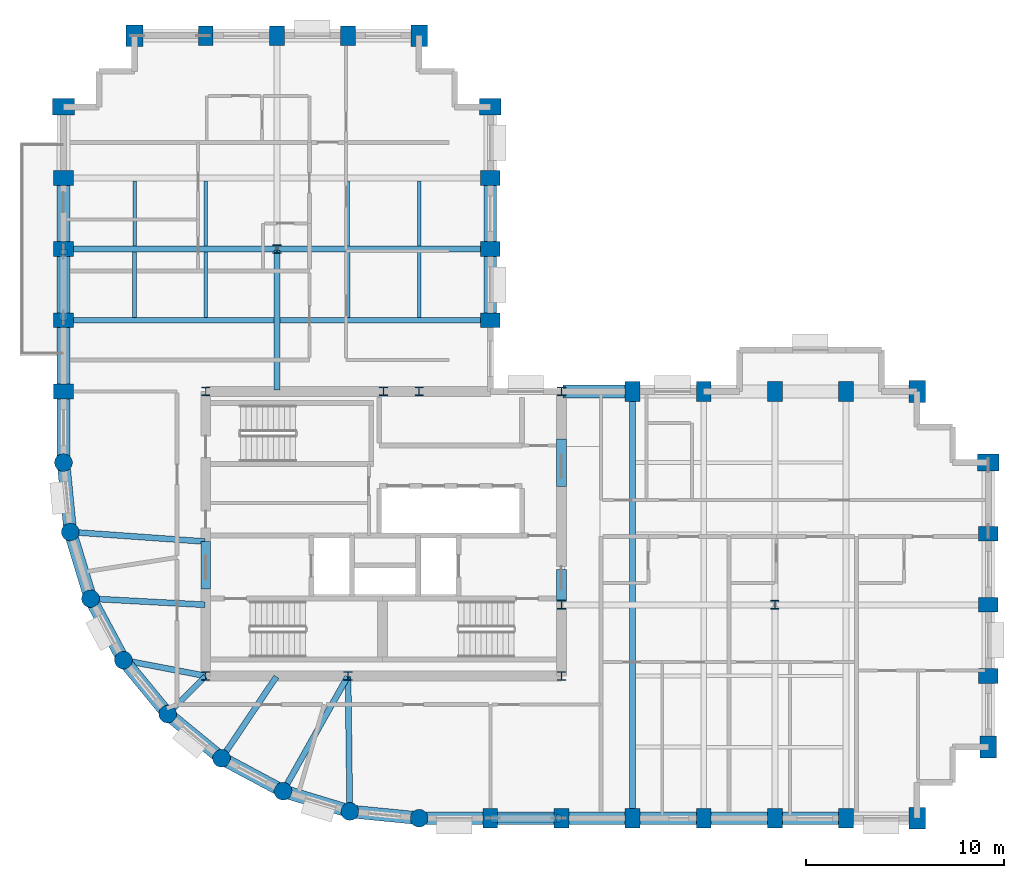
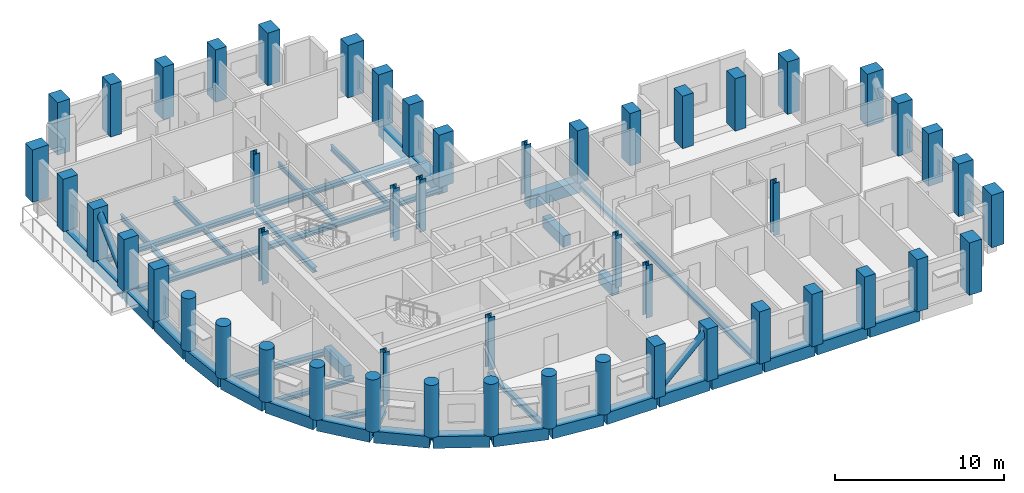
# One storey, part 1 of 10: 50 columns, 44 beams, 2 members.
"""IFC4 building model written with IfcOpenShell, lengths in metres."""

from ifc_helpers import new_model, si_unit, direction, frame, origin, origin_2d, place, context, subcontext, project, spatial, rectangle, circle, hollow_circle, i_section, extrude, material, material_profile, profile_set, type_object, element, save


model = new_model("IFC4")

# Units and contexts
model_context = context("Model", 3, precision=1e-05, world=origin(), true_north=direction((0.0, 1.0)))
body_context = subcontext(model_context, "Body", "Model", "MODEL_VIEW")
ifc_project = project(units=[si_unit("LENGTHUNIT", "METRE"), si_unit("AREAUNIT", "SQUARE_METRE"), si_unit("VOLUMEUNIT", "CUBIC_METRE"), si_unit("PLANEANGLEUNIT", "RADIAN"), si_unit("MASSUNIT", "GRAM", prefix="KILO")], contexts=[model_context])

# Site, building, storey
site_placement = place(None, origin())
site = spatial("IfcSite", under=ifc_project, at=site_placement, CompositionType="ELEMENT")
building_placement = place(site_placement, origin())
building = spatial("IfcBuilding", under=site, at=building_placement, Name="Solnavia Interchange Tower", CompositionType="ELEMENT")
storey_placement = place(building_placement, frame((0.0, 0.0, 150.39990234375)))
storey = spatial("IfcBuildingStorey", under=building, at=storey_placement, Name="L37", CompositionType="ELEMENT", Elevation=150.39990234375)

# Columns
ifc_material_1 = material(Name="Concrete C50/60", Category="concrete")
ifc_material_profile_1 = material_profile(ifc_material_1, rectangle(XDim=0.75, YDim=1.0, at=origin_2d()), Name="RC 1000x750")
ifc_profile_set_1 = profile_set([ifc_material_profile_1], Name="Concrete C50/60")
column_type_1 = type_object("IfcColumnType", Name="Col-RC-1000x750", PredefinedType="COLUMN", material=ifc_profile_set_1)
for number, where, z_axis, x_axis, name in (
    (1, (7.199951171875, 25.199951171875, 0.0), (0.0, 0.0, 1.0), (0.0, 1.0, 0.0), "COL-L37-02 Tower perim y column"),
    (2, (7.199951171875, 28.800048828125, 0.0), (0.0, 0.0, 1.0), (0.0, 1.0, 0.0), "COL-L37-03 Tower perim y column"),
    (3, (7.199951171875, 32.39990234375, 0.0), (0.0, 0.0, 1.0), (0.0, 1.0, 0.0), "COL-L37-04 Tower perim y column"),
    (4, (7.199951171875, 36.0, 0.0), (0.0, 0.0, 1.0), (0.0, 1.0, 0.0), "COL-L37-05 Tower perim y column"),
    (5, (14.39990234375, 43.199951171875, 0.0), (0.0, 0.0, 1.0), (1.0, 0.0, 0.0), "COL-L37-14 Tower perim x column"),
    (6, (18.0, 43.199951171875, 0.0), (0.0, 0.0, 1.0), (1.0, 0.0, 0.0), "COL-L37-17 Tower perim x column"),
    (7, (21.60009765625, 43.199951171875, 0.0), (0.0, 0.0, 1.0), (1.0, 0.0, 0.0), "COL-L37-20 Tower perim x column"),
    (8, (28.800048828125, 3.60009765625, 0.0), (0.0, 0.0, 1.0), (1.0, 0.0, 0.0), "COL-L37-26 Tower perim x column"),
    (9, (28.800048828125, 28.800048828125, 0.0), (0.0, 0.0, 1.0), (0.0, 1.0, 0.0), "COL-L37-27 Tower perim y column"),
    (10, (28.800048828125, 32.39990234375, 0.0), (0.0, 0.0, 1.0), (0.0, 1.0, 0.0), "COL-L37-28 Tower perim y column"),
    (11, (28.800048828125, 36.0, 0.0), (0.0, 0.0, 1.0), (0.0, 1.0, 0.0), "COL-L37-29 Tower perim y column"),
    (12, (32.39990234375, 3.60009765625, 0.0), (0.0, 0.0, 1.0), (1.0, 0.0, 0.0), "COL-L37-31 Tower perim x column"),
    (13, (36.0, 3.60009765625, 0.0), (0.0, 0.0, 1.0), (1.0, 0.0, 0.0), "COL-L37-35 Tower perim x column"),
    (14, (36.0, 25.199951171875, 0.0), (0.0, 0.0, 1.0), (1.0, 0.0, 0.0), "COL-L37-36 Tower perim x column"),
    (15, (39.60009765625, 3.60009765625, 0.0), (0.0, 0.0, 1.0), (1.0, 0.0, 0.0), "COL-L37-37 Tower perim x column"),
    (16, (39.60009765625, 25.199951171875, 0.0), (0.0, 0.0, 1.0), (1.0, 0.0, 0.0), "COL-L37-38 Tower perim x column"),
    (17, (43.199951171875, 3.60009765625, 0.0), (0.0, 0.0, 1.0), (1.0, 0.0, 0.0), "COL-L37-39 Tower perim x column"),
    (18, (43.199951171875, 25.199951171875, 0.0), (0.0, 0.0, 1.0), (1.0, 0.0, 0.0), "COL-L37-41 Tower perim x column"),
    (19, (46.800048828125, 3.60009765625, 0.0), (0.0, 0.0, 1.0), (1.0, 0.0, 0.0), "COL-L37-42 Tower perim x column"),
    (20, (46.800048828125, 25.199951171875, 0.0), (0.0, 0.0, 1.0), (1.0, 0.0, 0.0), "COL-L37-43 Tower perim x column"),
    (21, (54.0, 10.800048828125, 0.0), (0.0, 0.0, 1.0), (0.0, 1.0, 0.0), "COL-L37-47 Tower perim y column"),
    (22, (54.0, 14.39990234375, 0.0), (0.0, 0.0, 1.0), (0.0, 1.0, 0.0), "COL-L37-48 Tower perim y column"),
    (23, (54.0, 18.0, 0.0), (0.0, 0.0, 1.0), (0.0, 1.0, 0.0), "COL-L37-49 Tower perim y column"),
):
    element("IfcColumn", number, at=place(storey_placement, frame(where, z_axis=z_axis, x_axis=x_axis)), inside=storey, type_object=column_type_1, Name=name, PredefinedType="COLUMN", context=body_context, shape_type="SweptSolid", body=[
        extrude(rectangle(XDim=0.75, YDim=1.0, at=origin_2d()), origin(), (0.0, 0.0, 1.0), 3.800048828125),
    ])
ifc_material_profile_2 = material_profile(ifc_material_1, rectangle(XDim=0.85009765625, YDim=1.10009765625, at=origin_2d()), Name="RC 1100x850")
ifc_profile_set_2 = profile_set([ifc_material_profile_2], Name="Concrete C50/60")
column_type_2 = type_object("IfcColumnType", Name="Col-RC-1100x850", PredefinedType="COLUMN", material=ifc_profile_set_2)
for number, where, z_axis, x_axis, name in (
    (24, (7.199951171875, 39.60009765625, 0.0), (0.0, 0.0, 1.0), (0.0, 1.0, 0.0), "COL-L37-06 Tower corner column"),
    (25, (10.800048828125, 43.199951171875, 0.0), (0.0, 0.0, 1.0), (1.0, 0.0, 0.0), "COL-L37-10 Tower corner column"),
    (26, (25.199951171875, 43.199951171875, 0.0), (0.0, 0.0, 1.0), (1.0, 0.0, 0.0), "COL-L37-25 Tower corner column"),
    (27, (28.800048828125, 39.60009765625, 0.0), (0.0, 0.0, 1.0), (0.0, 1.0, 0.0), "COL-L37-30 Tower corner column"),
    (28, (50.39990234375, 3.60009765625, 0.0), (0.0, 0.0, 1.0), (1.0, 0.0, 0.0), "COL-L37-44 Tower corner column"),
    (29, (50.39990234375, 25.199951171875, 0.0), (0.0, 0.0, 1.0), (1.0, 0.0, 0.0), "COL-L37-45 Tower corner column"),
    (30, (54.0, 7.199951171875, 0.0), (0.0, 0.0, 1.0), (1.0, 0.0, 0.0), "COL-L37-46 Tower corner column"),
    (31, (54.0, 21.60009765625, 0.0), (0.0, 0.0, 1.0), (0.0, 1.0, 0.0), "COL-L37-50 Tower corner column"),
):
    element("IfcColumn", number, at=place(storey_placement, frame(where, z_axis=z_axis, x_axis=x_axis)), inside=storey, type_object=column_type_2, Name=name, PredefinedType="COLUMN", context=body_context, shape_type="SweptSolid", body=[
        extrude(rectangle(XDim=0.85009765625, YDim=1.10009765625, at=origin_2d()), origin(), (0.0, 0.0, 1.0), 3.800048828125),
    ])
ifc_material_profile_3 = material_profile(ifc_material_1, circle(Radius=0.449951171875, at=origin_2d()), Name="RC D900")
ifc_profile_set_3 = profile_set([ifc_material_profile_3], Name="Concrete C50/60")
column_type_3 = type_object("IfcColumnType", Name="Col-RC-D900", PredefinedType="COLUMN", material=ifc_profile_set_3)
for number, where, z_axis, x_axis, name in (
    (32, (7.199951171875, 21.60009765625, 0.0), (0.0, 0.0, 1.0), (1.0, 0.0, 0.0), "COL-L37-01 Tower drum column"),
    (33, (7.5458984375, 18.087890625, 0.0), (0.0, 0.0, 1.0), (1.0, 0.0, 0.0), "COL-L37-07 Tower drum column"),
    (34, (8.570068359375, 14.7119140625, 0.0), (0.0, 0.0, 1.0), (1.0, 0.0, 0.0), "COL-L37-08 Tower drum column"),
    (35, (10.23388671875, 11.60009765625, 0.0), (0.0, 0.0, 1.0), (1.0, 0.0, 0.0), "COL-L37-09 Tower drum column"),
    (36, (12.471923828125, 8.8720703125, 0.0), (0.0, 0.0, 1.0), (1.0, 0.0, 0.0), "COL-L37-11 Tower drum column"),
    (37, (15.199951171875, 6.634033203125, 0.0), (0.0, 0.0, 1.0), (1.0, 0.0, 0.0), "COL-L37-15 Tower drum column"),
    (38, (18.31201171875, 4.969970703125, 0.0), (0.0, 0.0, 1.0), (1.0, 0.0, 0.0), "COL-L37-18 Tower drum column"),
    (39, (21.68798828125, 3.946044921875, 0.0), (0.0, 0.0, 1.0), (1.0, 0.0, 0.0), "COL-L37-21 Tower drum column"),
    (40, (25.199951171875, 3.60009765625, 0.0), (0.0, 0.0, 1.0), (1.0, 0.0, 0.0), "COL-L37-23 Tower drum column"),
):
    element("IfcColumn", number, at=place(storey_placement, frame(where, z_axis=z_axis, x_axis=x_axis)), inside=storey, type_object=column_type_3, Name=name, PredefinedType="COLUMN", context=body_context, shape_type="SweptSolid", body=[
        extrude(circle(Radius=0.449951171875, at=origin_2d()), origin(), (0.0, 0.0, 1.0), 3.800048828125),
    ])
ifc_material_2 = material(Name="Steel S355", Category="steel")
ifc_material_profile_4 = material_profile(ifc_material_2, i_section(OverallWidth=0.416015625, OverallDepth=0.44189453125, WebThickness=0.02490234375, FlangeThickness=0.041015625, FilletRadius=0.014892578125, at=origin_2d()), Name="HD 400x382")
ifc_profile_set_4 = profile_set([ifc_material_profile_4], Name="Steel S355")
column_type_4 = type_object("IfcColumnType", Name="Col-Steel-HD400x382", PredefinedType="COLUMN", material=ifc_profile_set_4)
for number, where, z_axis, x_axis, name in (
    (41, (14.39990234375, 10.800048828125, 0.0), (0.0, 0.0, 1.0), (1.0, 0.0, 0.0), "COL-L37-12 Tower interior column"),
    (42, (14.39990234375, 25.199951171875, 0.0), (0.0, 0.0, 1.0), (1.0, 0.0, 0.0), "COL-L37-13 Tower interior column"),
    (43, (18.0, 32.39990234375, 0.0), (0.0, 0.0, 1.0), (1.0, 0.0, 0.0), "COL-L37-16 Tower interior column"),
    (44, (21.60009765625, 10.800048828125, 0.0), (0.0, 0.0, 1.0), (1.0, 0.0, 0.0), "COL-L37-19 Tower interior column"),
    (45, (23.39990234375, 25.199951171875, 0.0), (0.0, 0.0, 1.0), (1.0, 0.0, 0.0), "COL-L37-22 Tower interior column"),
    (46, (25.199951171875, 25.199951171875, 0.0), (0.0, 0.0, 1.0), (1.0, 0.0, 0.0), "COL-L37-24 Tower interior column"),
    (47, (32.39990234375, 10.800048828125, 0.0), (0.0, 0.0, 1.0), (1.0, 0.0, 0.0), "COL-L37-32 Tower interior column"),
    (48, (32.39990234375, 14.39990234375, 0.0), (0.0, 0.0, 1.0), (1.0, 0.0, 0.0), "COL-L37-33 Tower interior column"),
    (49, (32.39990234375, 25.199951171875, 0.0), (0.0, 0.0, 1.0), (1.0, 0.0, 0.0), "COL-L37-34 Tower interior column"),
    (50, (43.199951171875, 14.39990234375, 0.0), (0.0, 0.0, 1.0), (1.0, 0.0, 0.0), "COL-L37-40 Tower interior column"),
):
    element("IfcColumn", number, at=place(storey_placement, frame(where, z_axis=z_axis, x_axis=x_axis)), inside=storey, type_object=column_type_4, Name=name, PredefinedType="COLUMN", context=body_context, shape_type="SweptSolid", body=[
        extrude(i_section(OverallWidth=0.416015625, OverallDepth=0.44189453125, WebThickness=0.02490234375, FlangeThickness=0.041015625, FilletRadius=0.014892578125, at=origin_2d()), origin(), (0.0, 0.0, 1.0), 3.800048828125),
    ])

# Beams
ifc_material_profile_5 = material_profile(ifc_material_1, rectangle(XDim=0.5, YDim=0.800048828125, at=origin_2d()), Name="RC 500x800")
ifc_profile_set_5 = profile_set([ifc_material_profile_5], Name="Concrete C50/60")
beam_type_1 = type_object("IfcBeamType", Name="Beam-Coupling-RC500x800", PredefinedType="LINTEL", material=ifc_profile_set_5)
beam_1_placement = place(storey_placement, frame((14.39990234375, 15.199951171875, -0.39990234375), z_axis=(0.0, 1.0, 0.0), x_axis=(-1.0, 0.0, 0.0)))
element("IfcBeam", 51, at=beam_1_placement, inside=storey, type_object=beam_type_1, Name="CPB-L37-W1 Core coupling lintel beam", PredefinedType="LINTEL", context=body_context, shape_type="SweptSolid", body=[
    extrude(rectangle(XDim=0.5, YDim=0.800048828125, at=origin_2d()), origin(), (0.0, 0.0, 1.0), 2.400146484375),
])
beam_2_placement = place(storey_placement, frame((32.39990234375, 14.60009765625, -0.39990234375), z_axis=(0.0, 1.0, 0.0), x_axis=(-1.0, 0.0, 0.0)))
element("IfcBeam", 52, at=beam_2_placement, inside=storey, type_object=beam_type_1, Name="CPB-L37-E1 Core coupling lintel beam", PredefinedType="LINTEL", context=body_context, shape_type="SweptSolid", body=[
    extrude(rectangle(XDim=0.5, YDim=0.800048828125, at=origin_2d()), origin(), (0.0, 0.0, 1.0), 1.599853515625),
])
beam_3_placement = place(storey_placement, frame((32.39990234375, 20.39990234375, -0.39990234375), z_axis=(0.0, 1.0, 0.0), x_axis=(-1.0, 0.0, 0.0)))
element("IfcBeam", 53, at=beam_3_placement, inside=storey, type_object=beam_type_1, Name="CPB-L37-E2 Core coupling lintel beam", PredefinedType="LINTEL", context=body_context, shape_type="SweptSolid", body=[
    extrude(rectangle(XDim=0.5, YDim=0.800048828125, at=origin_2d()), origin(), (0.0, 0.0, 1.0), 2.400146484375),
])
ifc_material_3 = material(Name="Steel S460", Category="steel")
ifc_material_profile_6 = material_profile(ifc_material_3, i_section(OverallWidth=0.300048828125, OverallDepth=0.360107421875, WebThickness=0.012451171875, FlangeThickness=0.0224609375, FilletRadius=0.027099609375, at=origin_2d()), Name="HEB 360")
ifc_profile_set_6 = profile_set([ifc_material_profile_6], Name="Steel S460")
beam_type_2 = type_object("IfcBeamType", Name="Beam-Girder-HEB360", PredefinedType="BEAM", material=ifc_profile_set_6)
beam_4_placement = place(storey_placement, frame((18.0, 25.280029296875, -0.429931640625), z_axis=(0.0, 1.0, 0.0), x_axis=(-1.0, 0.0, 0.0)))
element("IfcBeam", 54, at=beam_4_placement, inside=storey, type_object=beam_type_2, Name="GRD-L37-NS08 North wing spine girder", PredefinedType="BEAM", context=body_context, shape_type="SweptSolid", body=[
    extrude(i_section(OverallWidth=0.300048828125, OverallDepth=0.360107421875, WebThickness=0.012451171875, FlangeThickness=0.0224609375, FilletRadius=0.027099609375, at=origin_2d()), origin(), (0.0, 0.0, 1.0), 7.0400390625),
])
beam_5_placement = place(storey_placement, frame((7.280029296875, 28.800048828125, -0.429931640625), z_axis=(1.0, 0.0, 0.0), x_axis=(0.0, 1.0, 0.0)))
element("IfcBeam", 55, at=beam_5_placement, inside=storey, type_object=beam_type_2, Name="GRD-L37-NW10 North wing primary floor girder", PredefinedType="BEAM", context=body_context, shape_type="SweptSolid", body=[
    extrude(i_section(OverallWidth=0.300048828125, OverallDepth=0.360107421875, WebThickness=0.012451171875, FlangeThickness=0.0224609375, FilletRadius=0.027099609375, at=origin_2d()), origin(), (0.0, 0.0, 1.0), 21.43994140625),
])
beam_6_placement = place(storey_placement, frame((10.3125, 11.5849609375, -0.429931640625), z_axis=(0.982057527796, -0.188581579428, 0.0), x_axis=(0.188581579428, 0.982057527796, 0.0)))
element("IfcBeam", 56, at=beam_6_placement, inside=storey, type_object=beam_type_2, Name="GRD-L37-DR16 Drum radial floor girder", PredefinedType="BEAM", context=body_context, shape_type="SweptSolid", body=[
    extrude(i_section(OverallWidth=0.300048828125, OverallDepth=0.360107421875, WebThickness=0.012451171875, FlangeThickness=0.0224609375, FilletRadius=0.027099609375, at=origin_2d()), origin(), (0.0, 0.0, 1.0), 4.1220703125),
])
beam_7_placement = place(storey_placement, frame((18.351318359375, 5.039794921875, -0.429931640625), z_axis=(0.491243158486, 0.871022479182, 0.0), x_axis=(-0.871022479182, 0.491243158486, 0.0)))
element("IfcBeam", 57, at=beam_7_placement, inside=storey, type_object=beam_type_2, Name="GRD-L37-DR19 Drum radial floor girder", PredefinedType="BEAM", context=body_context, shape_type="SweptSolid", body=[
    extrude(i_section(OverallWidth=0.300048828125, OverallDepth=0.360107421875, WebThickness=0.012451171875, FlangeThickness=0.0224609375, FilletRadius=0.027099609375, at=origin_2d()), origin(), (0.0, 0.0, 1.0), 6.5732421875),
])
ifc_material_profile_7 = material_profile(ifc_material_2, i_section(OverallWidth=0.169921875, OverallDepth=0.360107421875, WebThickness=0.008056640625, FlangeThickness=0.0126953125, FilletRadius=0.01806640625, at=origin_2d()), Name="IPE 360")
ifc_profile_set_7 = profile_set([ifc_material_profile_7], Name="Steel S355")
beam_type_3 = type_object("IfcBeamType", Name="Beam-Joist-IPE360", PredefinedType="JOIST", material=ifc_profile_set_7)
for number, where, z_axis, x_axis, name in (
    (58, (14.39990234375, 28.949951171875, -0.429931640625), (0.0, 1.0, 0.0), (-1.0, 0.0, 0.0), "JST-L37-N15 North wing secondary joist"),
    (59, (21.60009765625, 32.550048828125, -0.429931640625), (0.0, 1.0, 0.0), (-1.0, 0.0, 0.0), "JST-L37-N18 North wing secondary joist"),
):
    element("IfcBeam", number, at=place(storey_placement, frame(where, z_axis=z_axis, x_axis=x_axis)), inside=storey, type_object=beam_type_3, Name=name, PredefinedType="JOIST", context=body_context, shape_type="SweptSolid", body=[
        extrude(i_section(OverallWidth=0.169921875, OverallDepth=0.360107421875, WebThickness=0.008056640625, FlangeThickness=0.0126953125, FilletRadius=0.01806640625, at=origin_2d()), origin(), (0.0, 0.0, 1.0), 3.300048828125),
    ])
ifc_material_profile_8 = material_profile(ifc_material_2, i_section(OverallWidth=0.179931640625, OverallDepth=0.39990234375, WebThickness=0.008544921875, FlangeThickness=0.013427734375, FilletRadius=0.02099609375, at=origin_2d()), Name="IPE 400")
ifc_profile_set_8 = profile_set([ifc_material_profile_8], Name="Steel S355")
beam_type_4 = type_object("IfcBeamType", Name="Beam-Joist-IPE400", PredefinedType="JOIST", material=ifc_profile_set_8)
for number, where, z_axis, x_axis, name in (
    (60, (10.800048828125, 32.550048828125, -0.449951171875), (0.0, 1.0, 0.0), (-1.0, 0.0, 0.0), "JST-L37-N14 North wing secondary joist"),
    (61, (21.60009765625, 28.949951171875, -0.449951171875), (0.0, 1.0, 0.0), (-1.0, 0.0, 0.0), "JST-L37-N17 North wing secondary joist"),
    (62, (25.199951171875, 32.550048828125, -0.449951171875), (0.0, 1.0, 0.0), (-1.0, 0.0, 0.0), "JST-L37-N20 North wing secondary joist"),
):
    element("IfcBeam", number, at=place(storey_placement, frame(where, z_axis=z_axis, x_axis=x_axis)), inside=storey, type_object=beam_type_4, Name=name, PredefinedType="JOIST", context=body_context, shape_type="SweptSolid", body=[
        extrude(i_section(OverallWidth=0.179931640625, OverallDepth=0.39990234375, WebThickness=0.008544921875, FlangeThickness=0.013427734375, FilletRadius=0.02099609375, at=origin_2d()), origin(), (0.0, 0.0, 1.0), 3.300048828125),
    ])
ifc_material_profile_9 = material_profile(ifc_material_2, i_section(OverallWidth=0.18994140625, OverallDepth=0.449951171875, WebThickness=0.009521484375, FlangeThickness=0.0146484375, FilletRadius=0.02099609375, at=origin_2d()), Name="IPE 450")
ifc_profile_set_9 = profile_set([ifc_material_profile_9], Name="Steel S355")
beam_type_5 = type_object("IfcBeamType", Name="Beam-Joist-IPE450", PredefinedType="JOIST", material=ifc_profile_set_9)
for number, where, z_axis, x_axis, name in (
    (63, (10.800048828125, 28.949951171875, -0.474853515625), (0.0, 1.0, 0.0), (-1.0, 0.0, 0.0), "JST-L37-N13 North wing secondary joist"),
    (64, (14.39990234375, 32.550048828125, -0.474853515625), (0.0, 1.0, 0.0), (-1.0, 0.0, 0.0), "JST-L37-N16 North wing secondary joist"),
    (65, (25.199951171875, 28.949951171875, -0.474853515625), (0.0, 1.0, 0.0), (-1.0, 0.0, 0.0), "JST-L37-N19 North wing secondary joist"),
):
    element("IfcBeam", number, at=place(storey_placement, frame(where, z_axis=z_axis, x_axis=x_axis)), inside=storey, type_object=beam_type_5, Name=name, PredefinedType="JOIST", context=body_context, shape_type="SweptSolid", body=[
        extrude(i_section(OverallWidth=0.18994140625, OverallDepth=0.449951171875, WebThickness=0.009521484375, FlangeThickness=0.0146484375, FilletRadius=0.02099609375, at=origin_2d()), origin(), (0.0, 0.0, 1.0), 3.300048828125),
    ])
ifc_material_profile_10 = material_profile(ifc_material_2, i_section(OverallWidth=0.300048828125, OverallDepth=0.31005859375, WebThickness=0.009033203125, FlangeThickness=0.015380859375, FilletRadius=0.027099609375, at=origin_2d()), Name="HEA 320")
ifc_profile_set_10 = profile_set([ifc_material_profile_10], Name="Steel S355")
beam_type_6 = type_object("IfcBeamType", Name="Beam-Primary-HEA320", PredefinedType="BEAM", material=ifc_profile_set_10)
beam_8_placement = place(storey_placement, frame((36.0, 3.679931640625, -0.40478515625), z_axis=(0.0, 1.0, 0.0), x_axis=(-1.0, 0.0, 0.0)))
element("IfcBeam", 66, at=beam_8_placement, inside=storey, type_object=beam_type_6, Name="GRD-L37-EW03 East wing primary floor girder", PredefinedType="BEAM", context=body_context, shape_type="SweptSolid", body=[
    extrude(i_section(OverallWidth=0.300048828125, OverallDepth=0.31005859375, WebThickness=0.009033203125, FlangeThickness=0.015380859375, FilletRadius=0.027099609375, at=origin_2d()), origin(), (0.0, 0.0, 1.0), 21.440185546875),
])
beam_9_placement = place(storey_placement, frame((8.64990234375, 14.707763671875, -0.40478515625), z_axis=(0.998570371303, -0.053452909696, 0.0), x_axis=(0.053452909696, 0.998570371303, 0.0)))
element("IfcBeam", 67, at=beam_9_placement, inside=storey, type_object=beam_type_6, Name="GRD-L37-DR15 Drum radial floor girder", PredefinedType="BEAM", context=body_context, shape_type="SweptSolid", body=[
    extrude(i_section(OverallWidth=0.300048828125, OverallDepth=0.31005859375, WebThickness=0.009033203125, FlangeThickness=0.015380859375, FilletRadius=0.027099609375, at=origin_2d()), origin(), (0.0, 0.0, 1.0), 5.71826171875),
])
beam_10_placement = place(storey_placement, frame((15.24462890625, 6.700439453125, -0.40478515625), z_axis=(0.557835474219, 0.829951555033, 0.0), x_axis=(-0.829951555033, 0.557835474219, 0.0)))
element("IfcBeam", 68, at=beam_10_placement, inside=storey, type_object=beam_type_6, Name="GRD-L37-DR18 Drum radial floor girder", PredefinedType="BEAM", context=body_context, shape_type="SweptSolid", body=[
    extrude(i_section(OverallWidth=0.300048828125, OverallDepth=0.31005859375, WebThickness=0.009033203125, FlangeThickness=0.015380859375, FilletRadius=0.027099609375, at=origin_2d()), origin(), (0.0, 0.0, 1.0), 4.899658203125),
])
ifc_material_profile_11 = material_profile(ifc_material_2, i_section(OverallWidth=0.300048828125, OverallDepth=0.35009765625, WebThickness=0.010009765625, FlangeThickness=0.017578125, FilletRadius=0.027099609375, at=origin_2d()), Name="HEA 360")
ifc_profile_set_11 = profile_set([ifc_material_profile_11], Name="Steel S355")
beam_type_7 = type_object("IfcBeamType", Name="Beam-Primary-HEA360", PredefinedType="BEAM", material=ifc_profile_set_11)
for number, where, z_axis, x_axis, name in (
    (69, (7.280029296875, 32.39990234375, -0.4248046875), (1.0, 0.0, 0.0), (0.0, 1.0, 0.0), "GRD-L37-NW11 North wing primary floor girder"),
    (70, (18.080078125, 32.39990234375, -0.4248046875), (1.0, 0.0, 0.0), (0.0, 1.0, 0.0), "GRD-L37-NW12 North wing primary floor girder"),
):
    element("IfcBeam", number, at=place(storey_placement, frame(where, z_axis=z_axis, x_axis=x_axis)), inside=storey, type_object=beam_type_7, Name=name, PredefinedType="BEAM", context=body_context, shape_type="SweptSolid", body=[
        extrude(i_section(OverallWidth=0.300048828125, OverallDepth=0.35009765625, WebThickness=0.010009765625, FlangeThickness=0.017578125, FilletRadius=0.027099609375, at=origin_2d()), origin(), (0.0, 0.0, 1.0), 10.639892578125),
    ])
beam_11_placement = place(storey_placement, frame((7.625732421875, 18.082275390625, -0.4248046875), z_axis=(0.99747482749, -0.071020902015, 0.0), x_axis=(0.071020902015, 0.99747482749, 0.0)))
element("IfcBeam", 71, at=beam_11_placement, inside=storey, type_object=beam_type_7, Name="GRD-L37-DR14 Drum radial floor girder", PredefinedType="BEAM", context=body_context, shape_type="SweptSolid", body=[
    extrude(i_section(OverallWidth=0.300048828125, OverallDepth=0.35009765625, WebThickness=0.010009765625, FlangeThickness=0.017578125, FilletRadius=0.027099609375, at=origin_2d()), origin(), (0.0, 0.0, 1.0), 6.75146484375),
])
beam_12_placement = place(storey_placement, frame((12.528564453125, 8.9287109375, -0.4248046875), z_axis=(0.707106781187, 0.707106781187, 0.0), x_axis=(-0.707106781187, 0.707106781187, 0.0)))
element("IfcBeam", 72, at=beam_12_placement, inside=storey, type_object=beam_type_7, Name="GRD-L37-DR17 Drum radial floor girder", PredefinedType="BEAM", context=body_context, shape_type="SweptSolid", body=[
    extrude(i_section(OverallWidth=0.300048828125, OverallDepth=0.35009765625, WebThickness=0.010009765625, FlangeThickness=0.017578125, FilletRadius=0.027099609375, at=origin_2d()), origin(), (0.0, 0.0, 1.0), 2.6064453125),
])
beam_13_placement = place(storey_placement, frame((21.68701171875, 4.02587890625, -0.4248046875), z_axis=(-0.01283293513, 0.999917654498, 0.0), x_axis=(-0.999917654498, -0.01283293513, 0.0)))
element("IfcBeam", 73, at=beam_13_placement, inside=storey, type_object=beam_type_7, Name="GRD-L37-DR20 Drum radial floor girder", PredefinedType="BEAM", context=body_context, shape_type="SweptSolid", body=[
    extrude(i_section(OverallWidth=0.300048828125, OverallDepth=0.35009765625, WebThickness=0.010009765625, FlangeThickness=0.017578125, FilletRadius=0.027099609375, at=origin_2d()), origin(), (0.0, 0.0, 1.0), 6.734619140625),
])
ifc_material_profile_12 = material_profile(ifc_material_1, rectangle(XDim=0.64990234375, YDim=0.85009765625, at=origin_2d()), Name="RC 650x850")
ifc_profile_set_12 = profile_set([ifc_material_profile_12], Name="Concrete C50/60")
beam_type_8 = type_object("IfcBeamType", Name="Beam-Spandrel-RC650x850", PredefinedType="SPANDREL", material=ifc_profile_set_12)
beam_14_placement = place(storey_placement, frame((7.207763671875, 21.5205078125, -0.4248046875), z_axis=(0.098040038117, -0.995182471171, 0.0), x_axis=(0.995182471171, 0.098040038117, 0.0)))
element("IfcBeam", 74, at=beam_14_placement, inside=storey, type_object=beam_type_8, Name="SPB-L37-01 Framed-tube perimeter spandrel beam", PredefinedType="SPANDREL", context=body_context, shape_type="SweptSolid", body=[
    extrude(rectangle(XDim=0.64990234375, YDim=0.85009765625, at=origin_2d()), origin(), (0.0, 0.0, 1.0), 3.369140625),
])
beam_15_placement = place(storey_placement, frame((7.569091796875, 18.011474609375, -0.4248046875), z_axis=(0.290319223646, -0.956929855518, 0.0), x_axis=(0.956929855518, 0.290319223646, 0.0)))
element("IfcBeam", 75, at=beam_15_placement, inside=storey, type_object=beam_type_8, Name="SPB-L37-02 Framed-tube perimeter spandrel beam", PredefinedType="SPANDREL", context=body_context, shape_type="SweptSolid", body=[
    extrude(rectangle(XDim=0.64990234375, YDim=0.85009765625, at=origin_2d()), origin(), (0.0, 0.0, 1.0), 3.367919921875),
])
beam_16_placement = place(storey_placement, frame((8.607666015625, 14.6416015625, -0.4248046875), z_axis=(0.471509422952, -0.881861023102, 0.0), x_axis=(0.881861023102, 0.471509422952, 0.0)))
element("IfcBeam", 76, at=beam_16_placement, inside=storey, type_object=beam_type_8, Name="SPB-L37-03 Framed-tube perimeter spandrel beam", PredefinedType="SPANDREL", context=body_context, shape_type="SweptSolid", body=[
    extrude(rectangle(XDim=0.64990234375, YDim=0.85009765625, at=origin_2d()), origin(), (0.0, 0.0, 1.0), 3.369140625),
])
for number, where, z_axis, x_axis, name in (
    (77, (10.28466796875, 11.5380859375, -0.4248046875), (0.634298841675, -0.773087950656, 0.0), (0.773087950656, 0.634298841675, 0.0), "SPB-L37-04 Framed-tube perimeter spandrel beam"),
    (78, (12.53369140625, 8.8212890625, -0.4248046875), (0.773152644452, -0.634219984214, 0.0), (0.634219984214, 0.773152644452, 0.0), "SPB-L37-05 Framed-tube perimeter spandrel beam"),
):
    element("IfcBeam", number, at=place(storey_placement, frame(where, z_axis=z_axis, x_axis=x_axis)), inside=storey, type_object=beam_type_8, Name=name, PredefinedType="SPANDREL", context=body_context, shape_type="SweptSolid", body=[
        extrude(rectangle(XDim=0.64990234375, YDim=0.85009765625, at=origin_2d()), origin(), (0.0, 0.0, 1.0), 3.36865234375),
    ])
beam_17_placement = place(storey_placement, frame((15.2705078125, 6.59619140625, -0.4248046875), z_axis=(0.881875044348, -0.47148319817, 0.0), x_axis=(0.47148319817, 0.881875044348, 0.0)))
element("IfcBeam", 79, at=beam_17_placement, inside=storey, type_object=beam_type_8, Name="SPB-L37-06 Framed-tube perimeter spandrel beam", PredefinedType="SPANDREL", context=body_context, shape_type="SweptSolid", body=[
    extrude(rectangle(XDim=0.64990234375, YDim=0.85009765625, at=origin_2d()), origin(), (0.0, 0.0, 1.0), 3.368896484375),
])
beam_18_placement = place(storey_placement, frame((18.388671875, 4.94677734375, -0.4248046875), z_axis=(0.956943884494, -0.290272978297, 0.0), x_axis=(0.290272978297, 0.956943884494, 0.0)))
element("IfcBeam", 80, at=beam_18_placement, inside=storey, type_object=beam_type_8, Name="SPB-L37-07 Framed-tube perimeter spandrel beam", PredefinedType="SPANDREL", context=body_context, shape_type="SweptSolid", body=[
    extrude(rectangle(XDim=0.64990234375, YDim=0.85009765625, at=origin_2d()), origin(), (0.0, 0.0, 1.0), 3.36767578125),
])
beam_19_placement = place(storey_placement, frame((21.767578125, 3.938232421875, -0.4248046875), z_axis=(0.995181774609, -0.098047108501, 0.0), x_axis=(0.098047108501, 0.995181774609, 0.0)))
element("IfcBeam", 81, at=beam_19_placement, inside=storey, type_object=beam_type_8, Name="SPB-L37-08 Framed-tube perimeter spandrel beam", PredefinedType="SPANDREL", context=body_context, shape_type="SweptSolid", body=[
    extrude(rectangle(XDim=0.64990234375, YDim=0.85009765625, at=origin_2d()), origin(), (0.0, 0.0, 1.0), 3.368896484375),
])
beam_20_placement = place(storey_placement, frame((25.280029296875, 3.60009765625, -0.4248046875), z_axis=(1.0, 0.0, 0.0), x_axis=(0.0, 1.0, 0.0)))
element("IfcBeam", 82, at=beam_20_placement, inside=storey, type_object=beam_type_8, Name="SPB-L37-09 Framed-tube perimeter spandrel beam", PredefinedType="SPANDREL", context=body_context, shape_type="SweptSolid", body=[
    extrude(rectangle(XDim=0.64990234375, YDim=0.85009765625, at=origin_2d()), origin(), (0.0, 0.0, 1.0), 3.43994140625),
])
beam_21_placement = place(storey_placement, frame((28.8798828125, 3.60009765625, -0.4248046875), z_axis=(1.0, 0.0, 0.0), x_axis=(0.0, 1.0, 0.0)))
element("IfcBeam", 83, at=beam_21_placement, inside=storey, type_object=beam_type_8, Name="SPB-L37-10 Framed-tube perimeter spandrel beam", PredefinedType="SPANDREL", context=body_context, shape_type="SweptSolid", body=[
    extrude(rectangle(XDim=0.64990234375, YDim=0.85009765625, at=origin_2d()), origin(), (0.0, 0.0, 1.0), 3.440185546875),
])
for number, where, z_axis, x_axis, name in (
    (84, (32.47998046875, 3.60009765625, -0.4248046875), (1.0, 0.0, 0.0), (0.0, 1.0, 0.0), "SPB-L37-11 Framed-tube perimeter spandrel beam"),
    (85, (36.080078125, 3.60009765625, -0.4248046875), (1.0, 0.0, 0.0), (0.0, 1.0, 0.0), "SPB-L37-12 Framed-tube perimeter spandrel beam"),
):
    element("IfcBeam", number, at=place(storey_placement, frame(where, z_axis=z_axis, x_axis=x_axis)), inside=storey, type_object=beam_type_8, Name=name, PredefinedType="SPANDREL", context=body_context, shape_type="SweptSolid", body=[
        extrude(rectangle(XDim=0.64990234375, YDim=0.85009765625, at=origin_2d()), origin(), (0.0, 0.0, 1.0), 3.43994140625),
    ])
beam_22_placement = place(storey_placement, frame((39.679931640625, 3.60009765625, -0.4248046875), z_axis=(1.0, 0.0, 0.0), x_axis=(0.0, 1.0, 0.0)))
element("IfcBeam", 86, at=beam_22_placement, inside=storey, type_object=beam_type_8, Name="SPB-L37-13 Framed-tube perimeter spandrel beam", PredefinedType="SPANDREL", context=body_context, shape_type="SweptSolid", body=[
    extrude(rectangle(XDim=0.64990234375, YDim=0.85009765625, at=origin_2d()), origin(), (0.0, 0.0, 1.0), 3.440185546875),
])
for number, where, z_axis, x_axis, name in (
    (87, (43.280029296875, 3.60009765625, -0.4248046875), (1.0, 0.0, 0.0), (0.0, 1.0, 0.0), "SPB-L37-14 Framed-tube perimeter spandrel beam"),
    (88, (35.919921875, 25.199951171875, -0.4248046875), (-1.0, 0.0, 0.0), (0.0, -1.0, 0.0), "SPB-L37-24 Framed-tube perimeter spandrel beam"),
):
    element("IfcBeam", number, at=place(storey_placement, frame(where, z_axis=z_axis, x_axis=x_axis)), inside=storey, type_object=beam_type_8, Name=name, PredefinedType="SPANDREL", context=body_context, shape_type="SweptSolid", body=[
        extrude(rectangle(XDim=0.64990234375, YDim=0.85009765625, at=origin_2d()), origin(), (0.0, 0.0, 1.0), 3.43994140625),
    ])
beam_23_placement = place(storey_placement, frame((28.800048828125, 28.8798828125, -0.4248046875), z_axis=(0.0, 1.0, 0.0), x_axis=(-1.0, 0.0, 0.0)))
element("IfcBeam", 89, at=beam_23_placement, inside=storey, type_object=beam_type_8, Name="SPB-L37-25 Framed-tube perimeter spandrel beam", PredefinedType="SPANDREL", context=body_context, shape_type="SweptSolid", body=[
    extrude(rectangle(XDim=0.64990234375, YDim=0.85009765625, at=origin_2d()), origin(), (0.0, 0.0, 1.0), 3.440185546875),
])
for number, where, z_axis, x_axis, name in (
    (90, (28.800048828125, 32.47998046875, -0.4248046875), (0.0, 1.0, 0.0), (-1.0, 0.0, 0.0), "SPB-L37-26 Framed-tube perimeter spandrel beam"),
    (91, (7.199951171875, 35.919921875, -0.4248046875), (0.0, -1.0, 0.0), (1.0, 0.0, 0.0), "SPB-L37-33 Framed-tube perimeter spandrel beam"),
):
    element("IfcBeam", number, at=place(storey_placement, frame(where, z_axis=z_axis, x_axis=x_axis)), inside=storey, type_object=beam_type_8, Name=name, PredefinedType="SPANDREL", context=body_context, shape_type="SweptSolid", body=[
        extrude(rectangle(XDim=0.64990234375, YDim=0.85009765625, at=origin_2d()), origin(), (0.0, 0.0, 1.0), 3.43994140625),
    ])
beam_24_placement = place(storey_placement, frame((7.199951171875, 32.320068359375, -0.4248046875), z_axis=(0.0, -1.0, 0.0), x_axis=(1.0, 0.0, 0.0)))
element("IfcBeam", 92, at=beam_24_placement, inside=storey, type_object=beam_type_8, Name="SPB-L37-34 Framed-tube perimeter spandrel beam", PredefinedType="SPANDREL", context=body_context, shape_type="SweptSolid", body=[
    extrude(rectangle(XDim=0.64990234375, YDim=0.85009765625, at=origin_2d()), origin(), (0.0, 0.0, 1.0), 3.440185546875),
])
beam_25_placement = place(storey_placement, frame((7.199951171875, 28.719970703125, -0.4248046875), z_axis=(0.0, -1.0, 0.0), x_axis=(1.0, 0.0, 0.0)))
element("IfcBeam", 93, at=beam_25_placement, inside=storey, type_object=beam_type_8, Name="SPB-L37-35 Framed-tube perimeter spandrel beam", PredefinedType="SPANDREL", context=body_context, shape_type="SweptSolid", body=[
    extrude(rectangle(XDim=0.64990234375, YDim=0.85009765625, at=origin_2d()), origin(), (0.0, 0.0, 1.0), 3.43994140625),
])
beam_26_placement = place(storey_placement, frame((7.199951171875, 25.1201171875, -0.4248046875), z_axis=(0.0, -1.0, 0.0), x_axis=(1.0, 0.0, 0.0)))
element("IfcBeam", 94, at=beam_26_placement, inside=storey, type_object=beam_type_8, Name="SPB-L37-36 Framed-tube perimeter spandrel beam", PredefinedType="SPANDREL", context=body_context, shape_type="SweptSolid", body=[
    extrude(rectangle(XDim=0.64990234375, YDim=0.85009765625, at=origin_2d()), origin(), (0.0, 0.0, 1.0), 3.440185546875),
])

# Members
ifc_material_profile_13 = material_profile(ifc_material_3, hollow_circle(Radius=0.228515625, WallThickness=0.02001953125, at=origin_2d()), Name="CHS 457x20")
ifc_profile_set_13 = profile_set([ifc_material_profile_13], Name="Steel S460")
member_type = type_object("IfcMemberType", Name="Brace-Perim-CHS457", PredefinedType="BRACE", material=ifc_profile_set_13)
for number, where, z_axis, x_axis, name in (
    (95, (28.93994140625, 3.60009765625, 0.18017578125), (0.721096918576, 0.0, 0.692834203847), (0.0, 1.0, 0.0), "BRC-L37-01 Perimeter tube diagonal brace"),
    (96, (7.199951171875, 28.93994140625, 0.18017578125), (0.0, 0.721096918576, 0.692834203847), (-1.0, 0.0, 0.0), "BRC-L37-02 Perimeter tube diagonal brace"),
):
    element("IfcMember", number, at=place(storey_placement, frame(where, z_axis=z_axis, x_axis=x_axis)), inside=storey, type_object=member_type, Name=name, PredefinedType="BRACE", context=body_context, shape_type="SweptSolid", body=[
        extrude(hollow_circle(Radius=0.228515625, WallThickness=0.02001953125, at=origin_2d()), origin(), (0.0, 0.0, 1.0), 4.604248046875),
    ])

save(model, "model.ifc")
